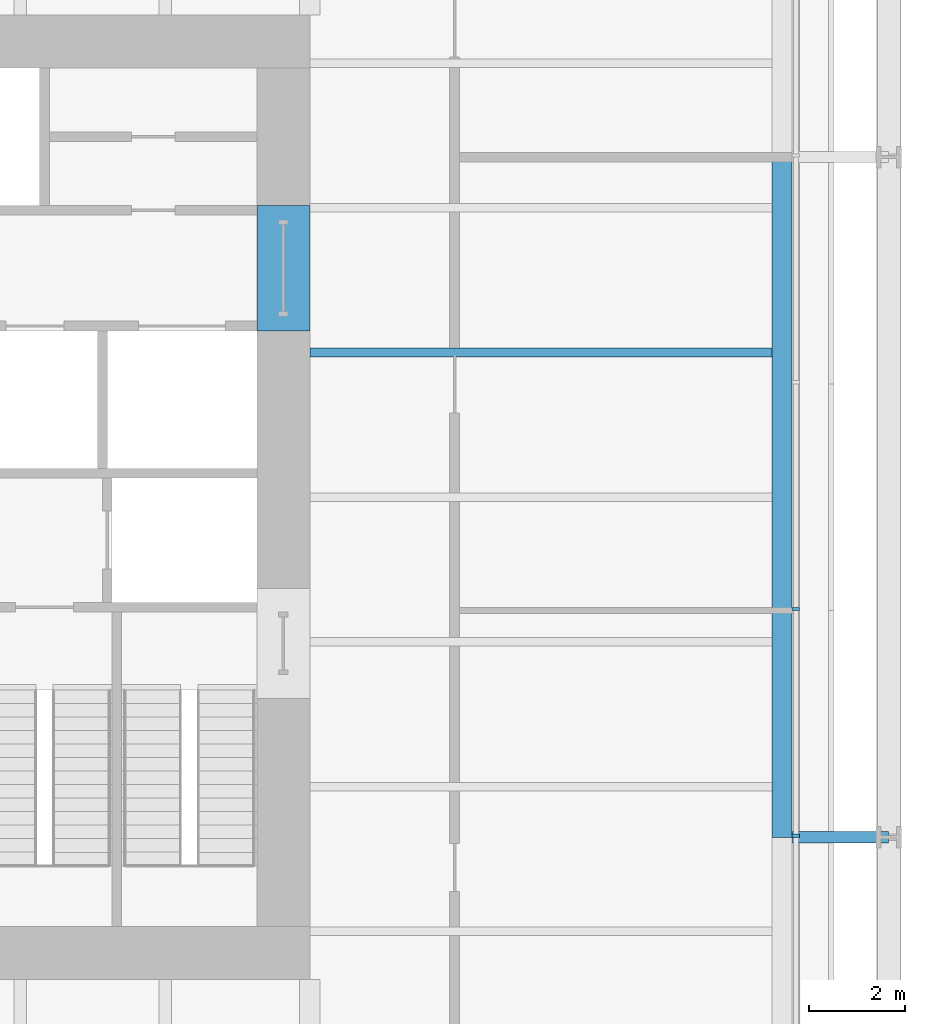
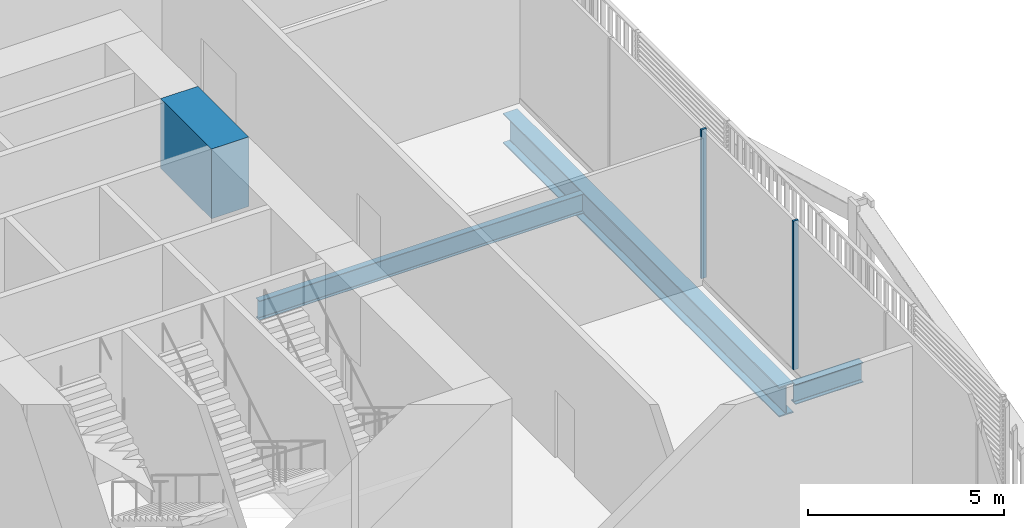
# One storey, part 9 of 22: 4 beams, 2 members, 1 element without a shape of its own.
"""IFC4 building model written with IfcOpenShell, lengths in metres."""

from ifc_helpers import new_model, si_unit, direction, frame, origin, origin_2d, place, context, subcontext, project, spatial, rectangle, i_section, extrude, material, layer, layer_set, material_profile, profile_set, type_object, element, aggregate, save


model = new_model("IFC4")

# Units and contexts
model_context = context("Model", 3, precision=1e-05, world=origin(), true_north=direction((0.0, 1.0)))
body_context = subcontext(model_context, "Body", "Model", "MODEL_VIEW")
ifc_project = project(units=[si_unit("LENGTHUNIT", "METRE"), si_unit("AREAUNIT", "SQUARE_METRE"), si_unit("VOLUMEUNIT", "CUBIC_METRE"), si_unit("PLANEANGLEUNIT", "RADIAN"), si_unit("MASSUNIT", "GRAM", prefix="KILO")], contexts=[model_context])

# Site, building, storey
site_placement = place(None, origin())
site = spatial("IfcSite", under=ifc_project, at=site_placement, CompositionType="ELEMENT")
building_placement = place(site_placement, origin())
building = spatial("IfcBuilding", under=site, at=building_placement, Name="Millrace Tower", CompositionType="ELEMENT")
storey_placement = place(building_placement, frame((0.0, 0.0, 30.5)))
storey = spatial("IfcBuildingStorey", under=building, at=storey_placement, Name="L07", CompositionType="ELEMENT", Elevation=30.5)

# Curtain wall, members
ifc_material_1 = material(Name="Aluminium and glass", Category="aluminium")
ifc_layer = layer(ifc_material_1, 0.14990234375)
ifc_layer_set = layer_set([ifc_layer], Name="Aluminium and glass")
curtain_wall_type = type_object("IfcCurtainWallType", Name="CW-2 data hall insulated curtain wall", PredefinedType="NOTDEFINED", material=ifc_layer_set)
curtain_wall_placement = place(storey_placement, origin())
curtain_wall = element("IfcCurtainWall", 1, at=curtain_wall_placement, inside=storey, type_object=curtain_wall_type, Name="Curtain wall A-F04 L07", PredefinedType="NOTDEFINED")
ifc_material_2 = material(Name="Aluminium", Category="aluminium")
ifc_material_profile_1 = material_profile(ifc_material_2, rectangle(XDim=0.06494140625, YDim=0.14990234375, at=origin_2d()))
ifc_profile_set_1 = profile_set([ifc_material_profile_1], Name="Aluminium")
member_type = type_object("IfcMemberType", Name="CW-2 data hall insulated curtain wall mullion", PredefinedType="MULLION", material=ifc_profile_set_1)
member_1_placement = place(storey_placement, frame((25.074951171875, -7.017578125, 0.159912109375), z_axis=(0.0, 0.0, 1.0), x_axis=(0.0, 1.0, 0.0)))
member_1 = element("IfcMember", 2, at=member_1_placement, type_object=member_type, Name="CW2 mullion A-F04.4", PredefinedType="MULLION", context=body_context, shape_type="SweptSolid", body=[
    extrude(rectangle(XDim=0.06494140625, YDim=0.14990234375, at=origin_2d()), origin(), (0.0, 0.0, 1.0), 4.64013671875),
])
member_2_placement = place(storey_placement, frame((25.074951171875, -2.3173828125, 0.159912109375), z_axis=(0.0, 0.0, 1.0), x_axis=(0.0, 1.0, 0.0)))
member_2 = element("IfcMember", 3, at=member_2_placement, type_object=member_type, Name="CW2 mullion A-F04.5", PredefinedType="MULLION", context=body_context, shape_type="SweptSolid", body=[
    extrude(rectangle(XDim=0.06494140625, YDim=0.14990234375, at=origin_2d()), origin(), (0.0, 0.0, 1.0), 4.64013671875),
])
aggregate(curtain_wall, [member_1, member_2])

# Beams
ifc_material_3 = material(Name="Concrete C80", Category="concrete")
ifc_material_profile_2 = material_profile(ifc_material_3, rectangle(XDim=1.10009765625, YDim=2.175048828125, at=origin_2d()))
ifc_profile_set_2 = profile_set([ifc_material_profile_2], Name="Concrete C80")
beam_type_1 = type_object("IfcBeamType", Name="Coupling beam 1100 x 2175 Concrete C80, 2000 opening", PredefinedType="BEAM", material=ifc_profile_set_2)
beam_1_placement = place(storey_placement, frame((14.449951171875, 6.050048828125, 3.487548828125), z_axis=(0.0, -1.0, 0.0), x_axis=(1.0, 0.0, 0.0)))
element("IfcBeam", 4, at=beam_1_placement, inside=storey, type_object=beam_type_1, Name="Coupling beam E L07", PredefinedType="BEAM", context=body_context, shape_type="SweptSolid", body=[
    extrude(rectangle(XDim=1.10009765625, YDim=2.175048828125, at=origin_2d()), origin(), (0.0, 0.0, 1.0), 2.60009765625),
])
ifc_material_4 = material(Name="Steel ASTM A992 Grade 50", Category="steel")
ifc_material_profile_3 = material_profile(ifc_material_4, i_section(OverallWidth=0.1787109375, OverallDepth=0.60205078125, WebThickness=0.010986328125, FlangeThickness=0.014892578125, FilletRadius=0.0126953125, at=origin_2d()))
ifc_profile_set_3 = profile_set([ifc_material_profile_3], Name="Steel ASTM A992 Grade 50")
beam_type_2 = type_object("IfcBeamType", Name="Floor beam W24x62", PredefinedType="JOIST", material=ifc_profile_set_3)
beam_2_placement = place(storey_placement, frame((15.0, 3.0, -0.52587890625), z_axis=(1.0, 0.0, 0.0), x_axis=(0.0, 1.0, 0.0)))
element("IfcBeam", 5, at=beam_2_placement, inside=storey, type_object=beam_type_2, Name="BM-A-L07-S1-S025", PredefinedType="JOIST", context=body_context, shape_type="SweptSolid", body=[
    extrude(i_section(OverallWidth=0.1787109375, OverallDepth=0.60205078125, WebThickness=0.010986328125, FlangeThickness=0.014892578125, FilletRadius=0.0126953125, at=origin_2d()), origin(), (0.0, 0.0, 1.0), 9.578369140625),
])
ifc_material_5 = material(Name="Steel ASTM A992 Grade 50", Category="steel")
ifc_material_profile_4 = material_profile(ifc_material_5, i_section(OverallWidth=0.23046875, OverallDepth=0.6171875, WebThickness=0.01318359375, FlangeThickness=0.022216796875, FilletRadius=0.012939453125, at=origin_2d()))
ifc_profile_set_4 = profile_set([ifc_material_profile_4], Name="Steel ASTM A992 Grade 50")
beam_type_3 = type_object("IfcBeamType", Name="Link beam W24x94", PredefinedType="BEAM", material=ifc_profile_set_4)
beam_3_placement = place(storey_placement, frame((25.0, -7.050048828125, -0.53369140625), z_axis=(1.0, 0.0, 0.0), x_axis=(0.0, 1.0, 0.0)))
element("IfcBeam", 6, at=beam_3_placement, inside=storey, type_object=beam_type_3, Name="LNK-A-L07-S1-11", PredefinedType="BEAM", context=body_context, shape_type="SweptSolid", body=[
    extrude(i_section(OverallWidth=0.23046875, OverallDepth=0.6171875, WebThickness=0.01318359375, FlangeThickness=0.022216796875, FilletRadius=0.012939453125, at=origin_2d()), origin(), (0.0, 0.0, 1.0), 2.0),
])
ifc_material_6 = material(Name="Steel ASTM A992 Grade 50", Category="steel")
ifc_material_profile_5 = material_profile(ifc_material_6, i_section(OverallWidth=0.421630859375, OverallDepth=0.937255859375, WebThickness=0.021240234375, FlangeThickness=0.03662109375, FilletRadius=0.024169921875, at=origin_2d()))
ifc_profile_set_5 = profile_set([ifc_material_profile_5], Name="Steel ASTM A992 Grade 50")
beam_type_4 = type_object("IfcBeamType", Name="Ring beam medium span W36x262", PredefinedType="SPANDREL", material=ifc_profile_set_5)
beam_4_placement = place(storey_placement, frame((24.7890625, 7.050048828125, -0.693603515625), z_axis=(0.0, -1.0, 0.0), x_axis=(1.0, 0.0, 0.0)))
element("IfcBeam", 7, at=beam_4_placement, inside=storey, type_object=beam_type_4, Name="RNG-A-L07-S1-10", PredefinedType="SPANDREL", context=body_context, shape_type="SweptSolid", body=[
    extrude(i_section(OverallWidth=0.421630859375, OverallDepth=0.937255859375, WebThickness=0.021240234375, FlangeThickness=0.03662109375, FilletRadius=0.024169921875, at=origin_2d()), origin(), (0.0, 0.0, 1.0), 14.10009765625),
])

save(model, "model.ifc")
